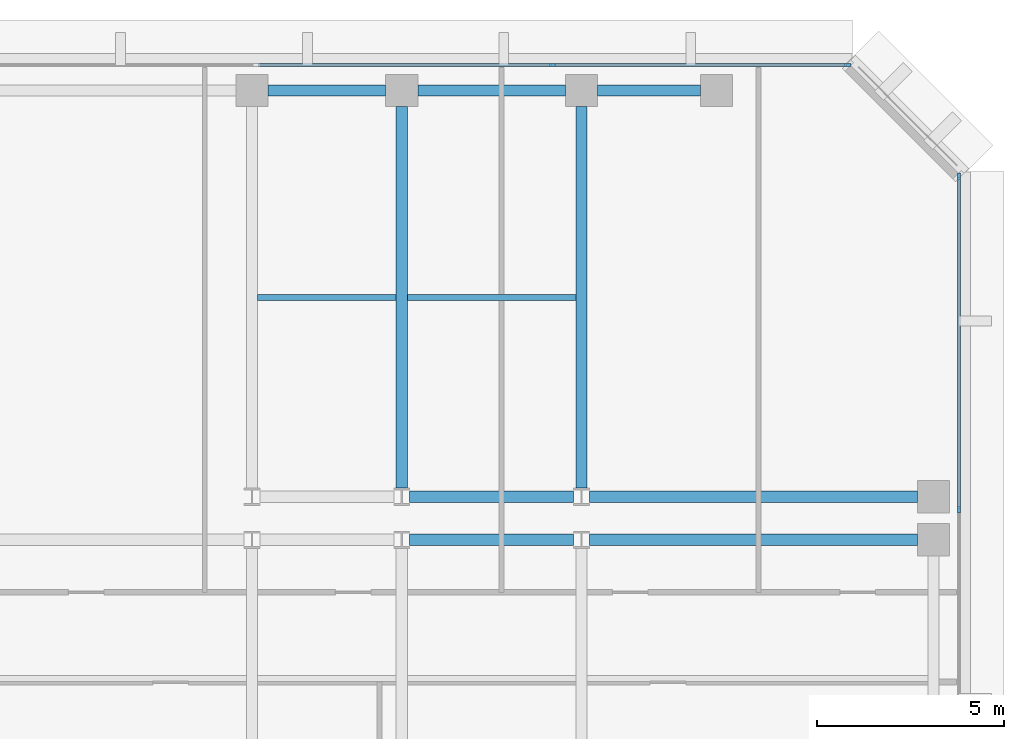
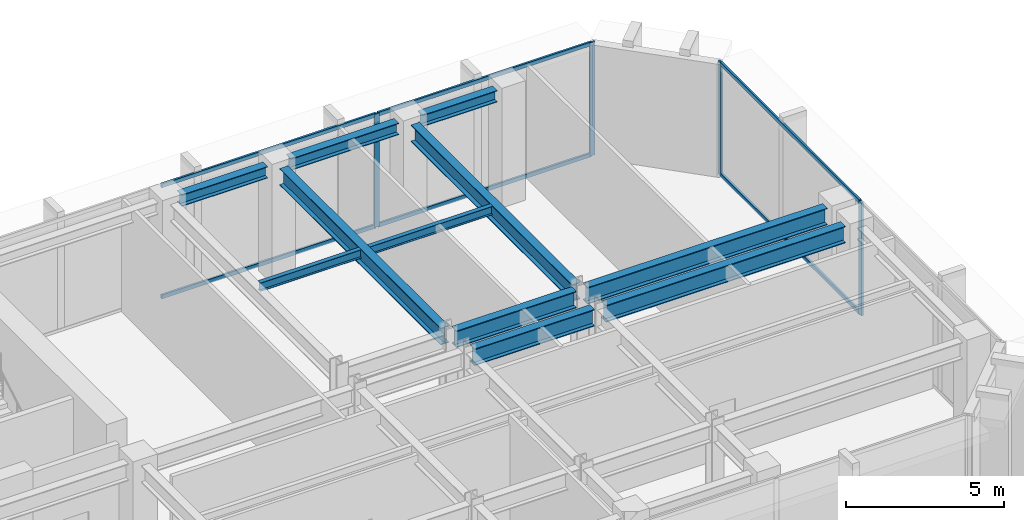
# One storey, part 5 of 13: 11 beams, 10 members, 2 elements without a shape of their own.
"""IFC4 building model written with IfcOpenShell, lengths in metres."""

import ifcopenshell
import ifcopenshell.guid

model = None  # the IFC model being written
_history = None  # IfcOwnerHistory: only IFC2X3 demands one
_inside = {}  # id of a spatial element -> (the spatial element, [elements in it])
_under = {}  # id of a project, library or spatial element -> (it, [spatial elements below it])
_declared = {}  # id of a project -> (the project, [libraries it declares])
_typed = {}  # id of a type object -> (the type object, [elements of that type])
_made_of = {}  # id of a material, layer set ... -> (it, [elements and type objects made of it])


def new_model(schema):
    """Start an empty IFC model of exactly this schema.

    Asked for "IFC4X3", IfcOpenShell would pick the latest addendum, in which some entities
    have other attributes; the version numbers below select the first issue.
    IFC2X3 requires an IfcOwnerHistory on every rooted entity: one is made here for all.
    """
    global model, _history
    if schema == "IFC4X3":
        model = ifcopenshell.file(schema_version=(4, 3, 0, 0))
    else:
        model = ifcopenshell.file(schema=schema)
    _inside.clear()
    _under.clear()
    _declared.clear()
    _typed.clear()
    _made_of.clear()
    _history = None
    if model.schema == "IFC2X3":
        org = make("IfcOrganization", Name="unknown")
        user = make(
            "IfcPersonAndOrganization",
            ThePerson=make("IfcPerson", FamilyName="unknown"),
            TheOrganization=org,
        )
        app = make(
            "IfcApplication",
            ApplicationDeveloper=org,
            Version="unknown",
            ApplicationFullName="unknown",
            ApplicationIdentifier="unknown",
        )
        _history = make(
            "IfcOwnerHistory",
            OwningUser=user,
            OwningApplication=app,
            ChangeAction="ADDED",
            CreationDate=0,
        )
    return model


def make(cls, **values):
    """One entity of the class cls with the attributes given. An attribute that is None is left unset."""
    return model.create_entity(
        cls, **{name: value for name, value in values.items() if value is not None}
    )


def rooted(cls, **values):
    """An entity with a GlobalId (a new one), such as an element, a storey or a relation."""
    return make(cls, GlobalId=ifcopenshell.guid.new(), OwnerHistory=_history, **values)


def si_unit(unit_type, name, prefix=None):
    """IfcSIUnit, for example si_unit("LENGTHUNIT", "METRE", prefix="MILLI")."""
    return make("IfcSIUnit", UnitType=unit_type, Prefix=prefix, Name=name)


def assignment(units):
    """IfcUnitAssignment: the units of a project."""
    return None if units is None else make("IfcUnitAssignment", Units=units)


def point(xyz):
    """IfcCartesianPoint."""
    return None if xyz is None else make("IfcCartesianPoint", Coordinates=xyz)


def direction(xyz):
    """IfcDirection."""
    return None if xyz is None else make("IfcDirection", DirectionRatios=xyz)


def frame(location, z_axis=None, x_axis=None):
    """IfcAxis2Placement3D, a coordinate frame: its origin and axes. An axis left out is left unset."""
    return make(
        "IfcAxis2Placement3D",
        Location=point(location),
        Axis=direction(z_axis),
        RefDirection=direction(x_axis),
    )


def frame_2d(location, x_axis=None):
    """IfcAxis2Placement2D, a coordinate frame in the plane: its origin and x axis."""
    return make(
        "IfcAxis2Placement2D", Location=point(location), RefDirection=direction(x_axis)
    )


def origin():
    """The frame at (0, 0, 0) with its axes left unset."""
    return frame((0.0, 0.0, 0.0))


def origin_2d():
    """The frame at (0, 0) in the plane with its x axis left unset."""
    return frame_2d((0.0, 0.0))


def place(relative_to, where):
    """IfcLocalPlacement: puts the frame where relative to a parent placement (None: the world)."""
    return make(
        "IfcLocalPlacement", PlacementRelTo=relative_to, RelativePlacement=where
    )


def context(
    kind, dimensions, precision=None, world=None, true_north=None, identifier=None
):
    """IfcGeometricRepresentationContext, for example the 3D "Model" context."""
    return make(
        "IfcGeometricRepresentationContext",
        ContextIdentifier=identifier,
        ContextType=kind,
        CoordinateSpaceDimension=dimensions,
        Precision=precision,
        WorldCoordinateSystem=world,
        TrueNorth=true_north,
    )


def subcontext(parent, identifier, kind, view, scale=None):
    """IfcGeometricRepresentationSubContext, for example "Body" below "Model"."""
    return make(
        "IfcGeometricRepresentationSubContext",
        ContextIdentifier=identifier,
        ContextType=kind,
        ParentContext=parent,
        TargetScale=scale,
        TargetView=view,
    )


def project(units=None, contexts=None):
    """IfcProject with its units and contexts."""
    return rooted(
        "IfcProject",
        Name="project",
        RepresentationContexts=contexts,
        UnitsInContext=assignment(units),
    )


def spatial(cls, under=None, at=None, **own):
    """A site, building, storey or space (cls), placed at a placement, below another one or the project."""
    s = rooted(cls, ObjectPlacement=at, **own)
    if under is not None:
        _under.setdefault(under.id(), (under, []))[1].append(s)
    return s


def profile(cls, at=None, kind="AREA", **sizes):
    """A parametric profile (cls). Its sizes go by their IFC names, for example OverallWidth=200.0."""
    return make(cls, ProfileType=kind, Position=at, **sizes)


def rectangle(**sizes):
    """IfcRectangleProfileDef."""
    return profile("IfcRectangleProfileDef", **sizes)


def i_section(**sizes):
    """IfcIShapeProfileDef."""
    return profile("IfcIShapeProfileDef", **sizes)


def extrude(swept, where, along, depth):
    """IfcExtrudedAreaSolid: the profile swept, set in the frame where, extruded along a direction by depth."""
    return make(
        "IfcExtrudedAreaSolid",
        SweptArea=swept,
        Position=where,
        ExtrudedDirection=direction(along),
        Depth=depth,
    )


def shape(context_of_items, identifier, shape_type, items):
    """IfcShapeRepresentation: the items that make up one representation, for example the "Body"."""
    return make(
        "IfcShapeRepresentation",
        ContextOfItems=context_of_items,
        RepresentationIdentifier=identifier,
        RepresentationType=shape_type,
        Items=items,
    )


def material(Name=None, Category=None):
    """IfcMaterial."""
    return make("IfcMaterial", Name=Name, Category=Category)


def layer(
    of_material, thickness, ventilated=None, Name=None, Category=None, Priority=None
):
    """IfcMaterialLayer: one layer of a wall or slab, of a material (None: an air gap)."""
    return make(
        "IfcMaterialLayer",
        Material=of_material,
        LayerThickness=thickness,
        IsVentilated=ventilated,
        Name=Name,
        Category=Category,
        Priority=Priority,
    )


def layer_set(layers, Name=None):
    """IfcMaterialLayerSet."""
    return make("IfcMaterialLayerSet", MaterialLayers=layers, LayerSetName=Name)


def material_profile(
    of_material, cross_section, Name=None, Category=None, Priority=None
):
    """IfcMaterialProfile: a cross section and its material."""
    return make(
        "IfcMaterialProfile",
        Name=Name,
        Material=of_material,
        Profile=cross_section,
        Priority=Priority,
        Category=Category,
    )


def profile_set(profiles, Name=None, composite=None):
    """IfcMaterialProfileSet."""
    return make(
        "IfcMaterialProfileSet",
        Name=Name,
        MaterialProfiles=profiles,
        CompositeProfile=composite,
    )


def made_of(thing, what):
    """Note that an element or type object is made of a material, layer set ...; save() writes the relation."""
    if what is not None:
        _made_of.setdefault(what.id(), (what, []))[1].append(thing)
    return thing


def type_object(cls, material=None, **own):
    """A type object (cls), such as IfcWallType, which elements share."""
    return made_of(rooted(cls, **own), material)


def element(
    cls,
    number,
    at=None,
    inside=None,
    cuts=None,
    type_object=None,
    material=None,
    context=None,
    identifier="Body",
    shape_type=None,
    held_by="IfcProductDefinitionShape",
    body=None,
    shapes=None,
    **own,
):
    """One element of the class cls, such as IfcWall. Its Tag is "e" and its number.

    at: its placement. inside: the storey or other place that contains it. cuts: it is an
    opening in that element (IfcRelVoidsElement). A single representation is given by context,
    identifier, shape_type and body (its items); several are given by shapes. held_by: the class
    of the entity that holds the representations. save() writes the other relations.
    """
    e = rooted(cls, Tag="e%d" % number, ObjectPlacement=at, **own)
    if body is not None:
        shapes = [shape(context, identifier, shape_type, body)]
    if shapes is not None:
        e.Representation = make(held_by, Representations=shapes)
    if inside is not None:
        _inside.setdefault(inside.id(), (inside, []))[1].append(e)
    if cuts is not None:
        rooted(
            "IfcRelVoidsElement", RelatingBuildingElement=cuts, RelatedOpeningElement=e
        )
    if type_object is not None:
        _typed.setdefault(type_object.id(), (type_object, []))[1].append(e)
    return made_of(e, material)


def aggregate(whole, parts):
    """IfcRelAggregates: a whole, such as a stair, and the parts it consists of."""
    return rooted("IfcRelAggregates", RelatingObject=whole, RelatedObjects=parts)


def save(model, path):
    """Write the relations noted so far, then the file.

    IfcRelAggregates (storeys below a building ...), IfcRelContainedInSpatialStructure (elements
    in a storey), IfcRelDefinesByType, IfcRelAssociatesMaterial and IfcRelDeclares: one each for
    every whole, place, type object, material and project.
    """
    for whole, parts in _under.values():
        aggregate(whole, parts)
    for where, things in _inside.values():
        rooted(
            "IfcRelContainedInSpatialStructure",
            RelatedElements=things,
            RelatingStructure=where,
        )
    for kind, things in _typed.values():
        rooted("IfcRelDefinesByType", RelatedObjects=things, RelatingType=kind)
    for what, things in _made_of.values():
        rooted("IfcRelAssociatesMaterial", RelatedObjects=things, RelatingMaterial=what)
    for by, libraries in _declared.values():
        rooted("IfcRelDeclares", RelatingContext=by, RelatedDefinitions=libraries)
    model.write(path)


model = new_model("IFC4")

# Units and contexts
model_context = context("Model", 3, precision=1e-05, world=origin(), true_north=direction((0.0, 1.0)))
body_context = subcontext(model_context, "Body", "Model", "MODEL_VIEW")
ifc_project = project(units=[si_unit("LENGTHUNIT", "METRE"), si_unit("AREAUNIT", "SQUARE_METRE"), si_unit("VOLUMEUNIT", "CUBIC_METRE"), si_unit("PLANEANGLEUNIT", "RADIAN"), si_unit("MASSUNIT", "GRAM", prefix="KILO")], contexts=[model_context])

# Site, building, storey
site_placement = place(None, origin())
site = spatial("IfcSite", under=ifc_project, at=site_placement, CompositionType="ELEMENT")
building_placement = place(site_placement, origin())
building = spatial("IfcBuilding", under=site, at=building_placement, Name="Kefirva Bronze Tower", CompositionType="ELEMENT")
storey_placement = place(building_placement, frame((0.0, 0.0, 130.35009765625)))
storey = spatial("IfcBuildingStorey", under=building, at=storey_placement, Name="L31", CompositionType="ELEMENT", Elevation=130.35009765625)

# Curtain wall, members
ifc_material_1 = material(Name="Bronze anodised aluminium", Category="aluminium")
ifc_layer = layer(ifc_material_1, 0.199951171875, Name="Bronze anodised aluminium")
ifc_layer_set = layer_set([ifc_layer], Name="Bronze anodised aluminium")
curtain_wall_type = type_object("IfcCurtainWallType", Name="Unitised Bronze Ribbon Curtain Wall Zone 2", PredefinedType="USERDEFINED", material=ifc_layer_set)
curtain_wall_1_placement = place(storey_placement, origin())
curtain_wall_1 = element("IfcCurtainWall", 1, at=curtain_wall_1_placement, inside=storey, type_object=curtain_wall_type, Name="L31 Curtain Wall 3", ObjectType="UNITISED CURTAIN WALL", PredefinedType="USERDEFINED")
ifc_material_profile_1 = material_profile(ifc_material_1, rectangle(XDim=0.074951171875, YDim=0.179931640625, at=origin_2d()), Name="ALU 75x180")
ifc_profile_set_1 = profile_set([ifc_material_profile_1], Name="Bronze anodised aluminium")
member_type_1 = type_object("IfcMemberType", Name="Bronze Mullion 75x180", PredefinedType="MULLION", material=ifc_profile_set_1)
member_1_placement = place(storey_placement, frame((50.080078125, 34.0, 0.0), z_axis=(0.0, 0.0, 1.0), x_axis=(-1.0, 0.0, 0.0)))
member_1 = element("IfcMember", 2, at=member_1_placement, type_object=member_type_1, Name="CW-02 mullion 2", PredefinedType="MULLION", context=body_context, shape_type="SweptSolid", body=[
    extrude(rectangle(XDim=0.074951171875, YDim=0.179931640625, at=origin_2d()), origin(), (0.0, 0.0, 1.0), 4.369873046875),
])
member_2_placement = place(storey_placement, frame((50.080078125, 42.907470703125, 0.0), z_axis=(0.0, 0.0, 1.0), x_axis=(-1.0, 0.0, 0.0)))
member_2 = element("IfcMember", 3, at=member_2_placement, type_object=member_type_1, Name="CW-02 mullion 3", PredefinedType="MULLION", context=body_context, shape_type="SweptSolid", body=[
    extrude(rectangle(XDim=0.074951171875, YDim=0.179931640625, at=origin_2d()), origin(), (0.0, 0.0, 1.0), 4.369873046875),
])

curtain_wall_2_placement = place(storey_placement, origin())
curtain_wall_2 = element("IfcCurtainWall", 4, at=curtain_wall_2_placement, inside=storey, type_object=curtain_wall_type, Name="L31 Curtain Wall 4", ObjectType="UNITISED CURTAIN WALL", PredefinedType="USERDEFINED")
member_3_placement = place(storey_placement, frame((47.107421875, 45.8798828125, 0.0), z_axis=(0.0, 0.0, 1.0), x_axis=(0.0, -1.0, 0.0)))
member_3 = element("IfcMember", 5, at=member_3_placement, type_object=member_type_1, Name="CW-02 mullion 1", PredefinedType="MULLION", context=body_context, shape_type="SweptSolid", body=[
    extrude(rectangle(XDim=0.074951171875, YDim=0.179931640625, at=origin_2d()), origin(), (0.0, 0.0, 1.0), 4.369873046875),
])
member_4_placement = place(storey_placement, frame((39.231689453125, 45.8798828125, 0.0), z_axis=(0.0, 0.0, 1.0), x_axis=(0.0, -1.0, 0.0)))
member_4 = element("IfcMember", 6, at=member_4_placement, type_object=member_type_1, Name="CW-02 mullion 2", PredefinedType="MULLION", context=body_context, shape_type="SweptSolid", body=[
    extrude(rectangle(XDim=0.074951171875, YDim=0.179931640625, at=origin_2d()), origin(), (0.0, 0.0, 1.0), 4.369873046875),
])

# Member
ifc_material_profile_2 = material_profile(ifc_material_1, rectangle(XDim=0.074951171875, YDim=0.14990234375, at=origin_2d()), Name="ALU 75x150")
ifc_profile_set_2 = profile_set([ifc_material_profile_2], Name="Bronze anodised aluminium")
member_type_2 = type_object("IfcMemberType", Name="Bronze Transom 75x150", PredefinedType="USERDEFINED", material=ifc_profile_set_2)
member_5_placement = place(storey_placement, frame((50.080078125, 34.03759765625, 0.037353515625), z_axis=(0.0, 1.0, 0.0), x_axis=(-1.0, 0.0, 0.0)))
member_5 = element("IfcMember", 7, at=member_5_placement, type_object=member_type_2, Name="CW-02 transom 2.1", ObjectType="TRANSOM", PredefinedType="USERDEFINED", context=body_context, shape_type="SweptSolid", body=[
    extrude(rectangle(XDim=0.074951171875, YDim=0.14990234375, at=origin_2d()), origin(), (0.0, 0.0, 1.0), 8.83251953125),
])

member_6_placement = place(storey_placement, frame((50.080078125, 34.03759765625, 4.33251953125), z_axis=(0.0, 1.0, 0.0), x_axis=(-1.0, 0.0, 0.0)))
member_6 = element("IfcMember", 8, at=member_6_placement, type_object=member_type_2, Name="CW-02 transom 2.2", ObjectType="TRANSOM", PredefinedType="USERDEFINED", context=body_context, shape_type="SweptSolid", body=[
    extrude(rectangle(XDim=0.074951171875, YDim=0.14990234375, at=origin_2d()), origin(), (0.0, 0.0, 1.0), 8.83251953125),
])

aggregate(curtain_wall_1, [member_1, member_2, member_5, member_6])

member_7_placement = place(storey_placement, frame((47.070068359375, 45.8798828125, 0.037353515625), z_axis=(-1.0, 0.0, 0.0), x_axis=(0.0, -1.0, 0.0)))
member_7 = element("IfcMember", 9, at=member_7_placement, type_object=member_type_2, Name="CW-02 transom 1.1", ObjectType="TRANSOM", PredefinedType="USERDEFINED", context=body_context, shape_type="SweptSolid", body=[
    extrude(rectangle(XDim=0.074951171875, YDim=0.14990234375, at=origin_2d()), origin(), (0.0, 0.0, 1.0), 7.80078125),
])

member_8_placement = place(storey_placement, frame((47.070068359375, 45.8798828125, 4.33251953125), z_axis=(-1.0, 0.0, 0.0), x_axis=(0.0, -1.0, 0.0)))
member_8 = element("IfcMember", 10, at=member_8_placement, type_object=member_type_2, Name="CW-02 transom 1.2", ObjectType="TRANSOM", PredefinedType="USERDEFINED", context=body_context, shape_type="SweptSolid", body=[
    extrude(rectangle(XDim=0.074951171875, YDim=0.14990234375, at=origin_2d()), origin(), (0.0, 0.0, 1.0), 7.80078125),
])

member_9_placement = place(storey_placement, frame((39.194091796875, 45.8798828125, 0.037353515625), z_axis=(-1.0, 0.0, 0.0), x_axis=(0.0, -1.0, 0.0)))
member_9 = element("IfcMember", 11, at=member_9_placement, type_object=member_type_2, Name="CW-02 transom 2.1", ObjectType="TRANSOM", PredefinedType="USERDEFINED", context=body_context, shape_type="SweptSolid", body=[
    extrude(rectangle(XDim=0.074951171875, YDim=0.14990234375, at=origin_2d()), origin(), (0.0, 0.0, 1.0), 7.83837890625),
])

member_10_placement = place(storey_placement, frame((39.194091796875, 45.8798828125, 4.33251953125), z_axis=(-1.0, 0.0, 0.0), x_axis=(0.0, -1.0, 0.0)))
member_10 = element("IfcMember", 12, at=member_10_placement, type_object=member_type_2, Name="CW-02 transom 2.2", ObjectType="TRANSOM", PredefinedType="USERDEFINED", context=body_context, shape_type="SweptSolid", body=[
    extrude(rectangle(XDim=0.074951171875, YDim=0.14990234375, at=origin_2d()), origin(), (0.0, 0.0, 1.0), 7.83837890625),
])

aggregate(curtain_wall_2, [member_3, member_4, member_7, member_8, member_9, member_10])

# Beams
ifc_material_2 = material(Name="Steel S355", Category="steel")
ifc_material_profile_3 = material_profile(ifc_material_2, i_section(OverallWidth=0.159912109375, OverallDepth=0.330078125, WebThickness=0.007568359375, FlangeThickness=0.011474609375, at=origin_2d()), Name="IPE 330")
ifc_profile_set_3 = profile_set([ifc_material_profile_3], Name="Steel S355")
beam_type_1 = type_object("IfcBeamType", Name="Steel Floor Joist IPE 330", PredefinedType="JOIST", material=ifc_profile_set_3)
beam_1_placement = place(storey_placement, frame((31.35009765625, 39.673583984375, 4.204833984375), z_axis=(1.0, 0.0, 0.0), x_axis=(0.0, 1.0, 0.0)))
element("IfcBeam", 13, at=beam_1_placement, inside=storey, type_object=beam_type_1, Name="L31 JST-L31-31-396", PredefinedType="JOIST", context=body_context, shape_type="SweptSolid", body=[
    extrude(i_section(OverallWidth=0.159912109375, OverallDepth=0.330078125, WebThickness=0.007568359375, FlangeThickness=0.011474609375, at=origin_2d()), origin(), (0.0, 0.0, 1.0), 3.699951171875),
])
beam_2_placement = place(storey_placement, frame((35.35009765625, 39.673583984375, 4.204833984375), z_axis=(1.0, 0.0, 0.0), x_axis=(0.0, 1.0, 0.0)))
element("IfcBeam", 14, at=beam_2_placement, inside=storey, type_object=beam_type_1, Name="L31 JST-L31-35-396", PredefinedType="JOIST", context=body_context, shape_type="SweptSolid", body=[
    extrude(i_section(OverallWidth=0.159912109375, OverallDepth=0.330078125, WebThickness=0.007568359375, FlangeThickness=0.011474609375, at=origin_2d()), origin(), (0.0, 0.0, 1.0), 4.5),
])
ifc_material_profile_4 = material_profile(ifc_material_2, i_section(OverallWidth=0.300048828125, OverallDepth=0.64990234375, WebThickness=0.01611328125, FlangeThickness=0.031005859375, at=origin_2d()), Name="HEB 650")
ifc_profile_set_4 = profile_set([ifc_material_profile_4], Name="Steel S355")
beam_type_2 = type_object("IfcBeamType", Name="Steel Girder HEB 650", PredefinedType="USERDEFINED", material=ifc_profile_set_4)
beam_3_placement = place(storey_placement, frame((35.408935546875, 33.199951171875, 4.044921875), z_axis=(1.0, 0.0, 0.0), x_axis=(0.0, 1.0, 0.0)))
element("IfcBeam", 15, at=beam_3_placement, inside=storey, type_object=beam_type_2, Name="L31 BM-L31-EW-35-332", ObjectType="GIRDER", PredefinedType="USERDEFINED", context=body_context, shape_type="SweptSolid", body=[
    extrude(i_section(OverallWidth=0.300048828125, OverallDepth=0.64990234375, WebThickness=0.01611328125, FlangeThickness=0.031005859375, at=origin_2d()), origin(), (0.0, 0.0, 1.0), 4.382080078125),
])
beam_4_placement = place(storey_placement, frame((40.208984375, 33.199951171875, 4.044921875), z_axis=(1.0, 0.0, 0.0), x_axis=(0.0, 1.0, 0.0)))
element("IfcBeam", 16, at=beam_4_placement, inside=storey, type_object=beam_type_2, Name="L31 BM-L31-EW-40-332", ObjectType="GIRDER", PredefinedType="USERDEFINED", context=body_context, shape_type="SweptSolid", body=[
    extrude(i_section(OverallWidth=0.300048828125, OverallDepth=0.64990234375, WebThickness=0.01611328125, FlangeThickness=0.031005859375, at=origin_2d()), origin(), (0.0, 0.0, 1.0), 8.760986328125),
])
beam_5_placement = place(storey_placement, frame((35.408935546875, 34.35009765625, 4.044921875), z_axis=(1.0, 0.0, 0.0), x_axis=(0.0, 1.0, 0.0)))
element("IfcBeam", 17, at=beam_5_placement, inside=storey, type_object=beam_type_2, Name="L31 BM-L31-EW-35-344", ObjectType="GIRDER", PredefinedType="USERDEFINED", context=body_context, shape_type="SweptSolid", body=[
    extrude(i_section(OverallWidth=0.300048828125, OverallDepth=0.64990234375, WebThickness=0.01611328125, FlangeThickness=0.031005859375, at=origin_2d()), origin(), (0.0, 0.0, 1.0), 4.382080078125),
])
beam_6_placement = place(storey_placement, frame((40.208984375, 34.35009765625, 4.044921875), z_axis=(1.0, 0.0, 0.0), x_axis=(0.0, 1.0, 0.0)))
element("IfcBeam", 18, at=beam_6_placement, inside=storey, type_object=beam_type_2, Name="L31 BM-L31-EW-40-344", ObjectType="GIRDER", PredefinedType="USERDEFINED", context=body_context, shape_type="SweptSolid", body=[
    extrude(i_section(OverallWidth=0.300048828125, OverallDepth=0.64990234375, WebThickness=0.01611328125, FlangeThickness=0.031005859375, at=origin_2d()), origin(), (0.0, 0.0, 1.0), 8.760986328125),
])
for number, where, z_axis, x_axis, name in (
    (19, (35.199951171875, 34.577392578125, 4.044921875), (0.0, 1.0, 0.0), (-1.0, 0.0, 0.0), "L31 BM-L31-NS-352-34"),
    (20, (40.0, 34.577392578125, 4.044921875), (0.0, 1.0, 0.0), (-1.0, 0.0, 0.0), "L31 BM-L31-NS-400-34"),
):
    element("IfcBeam", number, at=place(storey_placement, frame(where, z_axis=z_axis, x_axis=x_axis)), inside=storey, type_object=beam_type_2, Name=name, ObjectType="GIRDER", PredefinedType="USERDEFINED", context=body_context, shape_type="SweptSolid", body=[
        extrude(i_section(OverallWidth=0.300048828125, OverallDepth=0.64990234375, WebThickness=0.01611328125, FlangeThickness=0.031005859375, at=origin_2d()), origin(), (0.0, 0.0, 1.0), 10.192626953125),
    ])
ifc_material_profile_5 = material_profile(ifc_material_2, i_section(OverallWidth=0.300048828125, OverallDepth=0.449951171875, WebThickness=0.013916015625, FlangeThickness=0.02587890625, at=origin_2d()), Name="HEB 450")
ifc_profile_set_5 = profile_set([ifc_material_profile_5], Name="Steel S355")
beam_type_3 = type_object("IfcBeamType", Name="Steel Spandrel HEB 450 Ext", PredefinedType="SPANDREL", material=ifc_profile_set_5)
beam_7_placement = place(storey_placement, frame((31.6298828125, 45.199951171875, 4.14501953125), z_axis=(1.0, 0.0, 0.0), x_axis=(0.0, 1.0, 0.0)))
element("IfcBeam", 21, at=beam_7_placement, inside=storey, type_object=beam_type_3, Name="L31 BM-L31-EW-31-452", PredefinedType="SPANDREL", context=body_context, shape_type="SweptSolid", body=[
    extrude(i_section(OverallWidth=0.300048828125, OverallDepth=0.449951171875, WebThickness=0.013916015625, FlangeThickness=0.02587890625, at=origin_2d()), origin(), (0.0, 0.0, 1.0), 3.14013671875),
])
beam_8_placement = place(storey_placement, frame((35.6298828125, 45.199951171875, 4.14501953125), z_axis=(1.0, 0.0, 0.0), x_axis=(0.0, 1.0, 0.0)))
element("IfcBeam", 22, at=beam_8_placement, inside=storey, type_object=beam_type_3, Name="L31 BM-L31-EW-35-452", PredefinedType="SPANDREL", context=body_context, shape_type="SweptSolid", body=[
    extrude(i_section(OverallWidth=0.300048828125, OverallDepth=0.449951171875, WebThickness=0.013916015625, FlangeThickness=0.02587890625, at=origin_2d()), origin(), (0.0, 0.0, 1.0), 3.940185546875),
])
beam_9_placement = place(storey_placement, frame((40.429931640625, 45.199951171875, 4.14501953125), z_axis=(1.0, 0.0, 0.0), x_axis=(0.0, 1.0, 0.0)))
element("IfcBeam", 23, at=beam_9_placement, inside=storey, type_object=beam_type_3, Name="L31 BM-L31-EW-40-452", PredefinedType="SPANDREL", context=body_context, shape_type="SweptSolid", body=[
    extrude(i_section(OverallWidth=0.300048828125, OverallDepth=0.449951171875, WebThickness=0.013916015625, FlangeThickness=0.02587890625, at=origin_2d()), origin(), (0.0, 0.0, 1.0), 2.739990234375),
])

save(model, "model.ifc")
